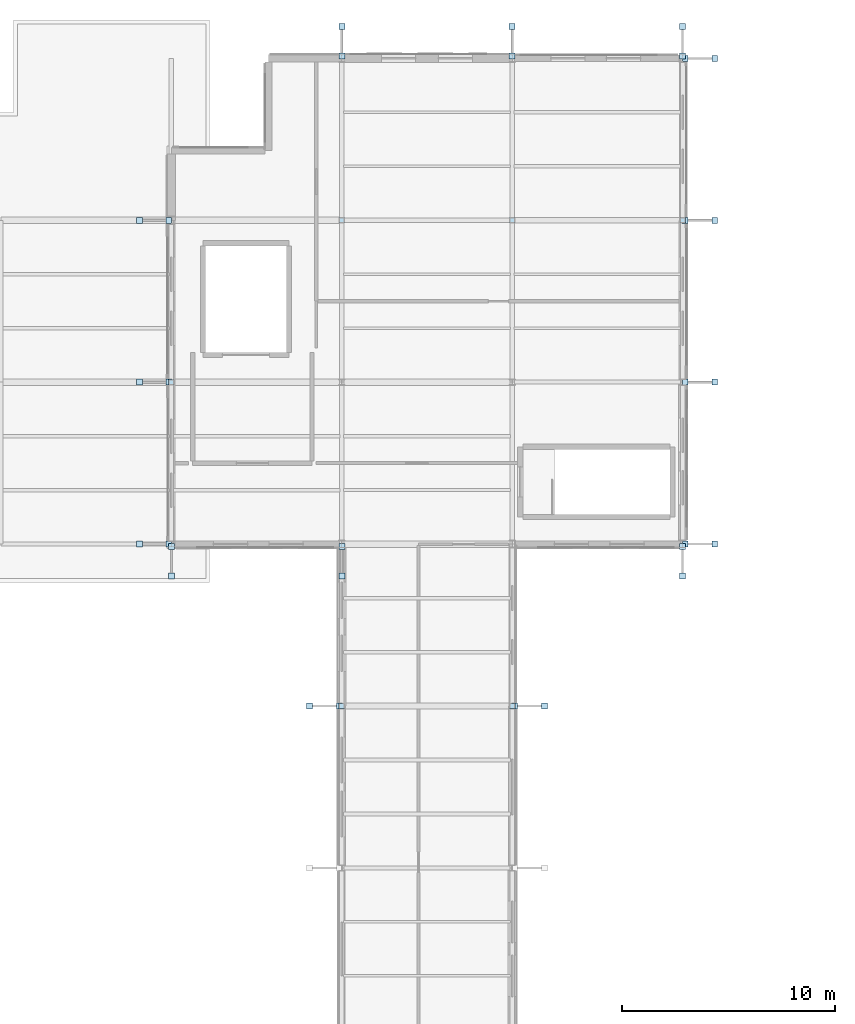
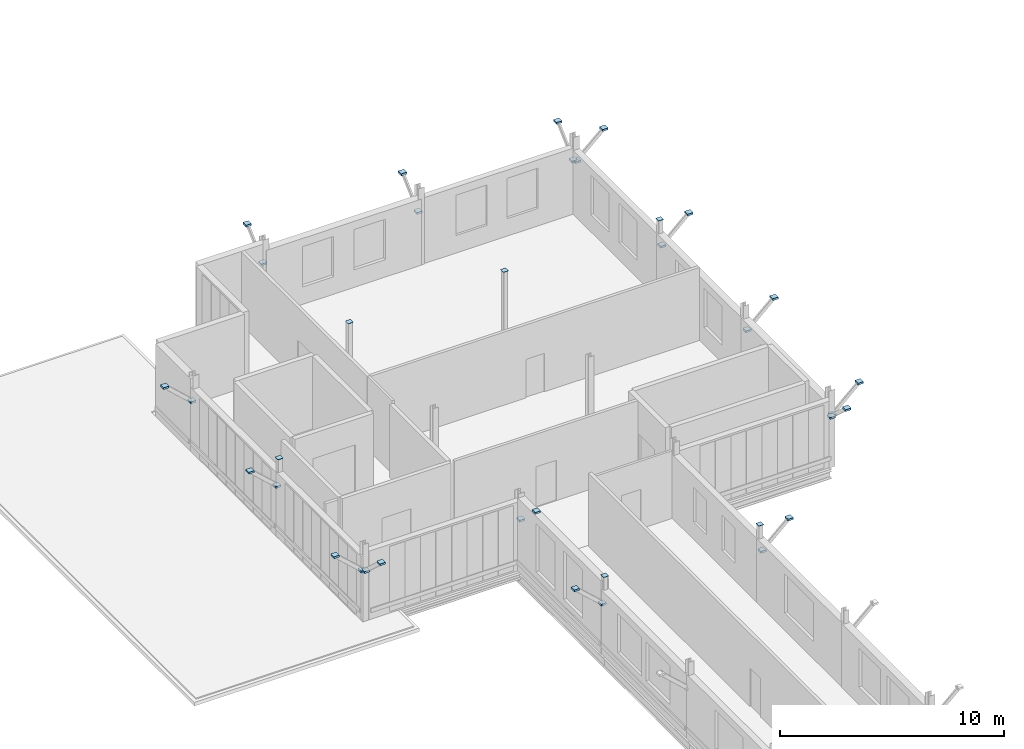
# One storey, part 76 of 101: 36 plates.
"""IFC4 building model written with IfcOpenShell, lengths in metres."""

from ifc_helpers import new_model, si_unit, direction, frame, origin, origin_2d, place, context, subcontext, project, spatial, rectangle, extrude, material, layer, layer_set, type_object, element, save


model = new_model("IFC4")

# Units and contexts
model_context = context("Model", 3, precision=1e-05, world=origin(), true_north=direction((0.0, 1.0)))
body_context = subcontext(model_context, "Body", "Model", "MODEL_VIEW")
ifc_project = project(units=[si_unit("LENGTHUNIT", "METRE"), si_unit("AREAUNIT", "SQUARE_METRE"), si_unit("VOLUMEUNIT", "CUBIC_METRE"), si_unit("PLANEANGLEUNIT", "RADIAN"), si_unit("MASSUNIT", "GRAM", prefix="KILO")], contexts=[model_context])

# Site, building, storey
site_placement = place(None, origin())
site = spatial("IfcSite", under=ifc_project, at=site_placement, CompositionType="ELEMENT")
building_placement = place(site_placement, origin())
building = spatial("IfcBuilding", under=site, at=building_placement, Name="Vekula Escarpment Museum", CompositionType="ELEMENT")
storey_placement = place(building_placement, frame((0.0, 0.0, 18.0)))
storey = spatial("IfcBuildingStorey", under=building, at=storey_placement, Name="L04", CompositionType="ELEMENT", Elevation=18.0)

# Plates
ifc_material_1 = material(Name="Steel S355", Category="steel")
ifc_layer_1 = layer(ifc_material_1, 0.01611328125)
ifc_layer_set_1 = layer_set([ifc_layer_1], Name="Steel S355")
plate_type_1 = type_object("IfcPlateType", Name="PL-CAP-16", PredefinedType="SHEET", material=ifc_layer_set_1)
for number, where, z_axis, x_axis, name in (
    (1, (31.88525390625, 113.199951171875, 2.694091796875), (0.0, 0.0, 1.0), (1.0, 0.0, 0.0), "Hollow section end cap CP-16"),
    (2, (30.49462890625, 113.199951171875, 3.9638671875), (0.0, 0.0, 1.0), (1.0, 0.0, 0.0), "Hollow section end cap CP-16"),
    (3, (32.0, 113.085205078125, 2.694091796875), (0.0, 0.0, 1.0), (1.0, 0.0, 0.0), "Hollow section end cap CP-16"),
    (4, (32.0, 111.694580078125, 3.9638671875), (0.0, 0.0, 1.0), (1.0, 0.0, 0.0), "Hollow section end cap CP-16"),
    (5, (31.88525390625, 120.800048828125, 2.694091796875), (0.0, 0.0, 1.0), (1.0, 0.0, 0.0), "Hollow section end cap CP-16"),
    (6, (30.49462890625, 120.800048828125, 3.9638671875), (0.0, 0.0, 1.0), (1.0, 0.0, 0.0), "Hollow section end cap CP-16"),
    (7, (31.88525390625, 128.39990234375, 2.694091796875), (0.0, 0.0, 1.0), (1.0, 0.0, 0.0), "Hollow section end cap CP-16"),
    (8, (30.49462890625, 128.39990234375, 3.9638671875), (0.0, 0.0, 1.0), (1.0, 0.0, 0.0), "Hollow section end cap CP-16"),
    (9, (39.88525390625, 105.60009765625, 2.694091796875), (0.0, 0.0, 1.0), (1.0, 0.0, 0.0), "Hollow section end cap CP-16"),
    (10, (38.49462890625, 105.60009765625, 3.9638671875), (0.0, 0.0, 1.0), (1.0, 0.0, 0.0), "Hollow section end cap CP-16"),
    (11, (40.0, 113.085205078125, 2.694091796875), (0.0, 0.0, 1.0), (1.0, 0.0, 0.0), "Hollow section end cap CP-16"),
    (12, (40.0, 111.694580078125, 3.9638671875), (0.0, 0.0, 1.0), (1.0, 0.0, 0.0), "Hollow section end cap CP-16"),
    (13, (40.0, 136.11474609375, 2.694091796875), (0.0, 0.0, 1.0), (1.0, 0.0, 0.0), "Hollow section end cap CP-16"),
    (14, (40.0, 137.50537109375, 3.9638671875), (0.0, 0.0, 1.0), (1.0, 0.0, 0.0), "Hollow section end cap CP-16"),
    (15, (48.11474609375, 105.60009765625, 2.694091796875), (0.0, 0.0, 1.0), (1.0, 0.0, 0.0), "Hollow section end cap CP-16"),
    (16, (49.50537109375, 105.60009765625, 3.9638671875), (0.0, 0.0, 1.0), (1.0, 0.0, 0.0), "Hollow section end cap CP-16"),
    (17, (48.0, 136.11474609375, 2.694091796875), (0.0, 0.0, 1.0), (1.0, 0.0, 0.0), "Hollow section end cap CP-16"),
    (18, (48.0, 137.50537109375, 3.9638671875), (0.0, 0.0, 1.0), (1.0, 0.0, 0.0), "Hollow section end cap CP-16"),
    (19, (56.11474609375, 113.199951171875, 2.694091796875), (0.0, 0.0, 1.0), (1.0, 0.0, 0.0), "Hollow section end cap CP-16"),
    (20, (57.50537109375, 113.199951171875, 3.9638671875), (0.0, 0.0, 1.0), (1.0, 0.0, 0.0), "Hollow section end cap CP-16"),
    (21, (56.0, 113.085205078125, 2.694091796875), (0.0, 0.0, 1.0), (1.0, 0.0, 0.0), "Hollow section end cap CP-16"),
    (22, (56.0, 111.694580078125, 3.9638671875), (0.0, 0.0, 1.0), (1.0, 0.0, 0.0), "Hollow section end cap CP-16"),
    (23, (56.11474609375, 120.800048828125, 2.694091796875), (0.0, 0.0, 1.0), (1.0, 0.0, 0.0), "Hollow section end cap CP-16"),
    (24, (57.50537109375, 120.800048828125, 3.9638671875), (0.0, 0.0, 1.0), (1.0, 0.0, 0.0), "Hollow section end cap CP-16"),
    (25, (56.11474609375, 128.39990234375, 2.694091796875), (0.0, 0.0, 1.0), (1.0, 0.0, 0.0), "Hollow section end cap CP-16"),
    (26, (57.50537109375, 128.39990234375, 3.9638671875), (0.0, 0.0, 1.0), (1.0, 0.0, 0.0), "Hollow section end cap CP-16"),
    (27, (56.11474609375, 136.0, 2.694091796875), (0.0, 0.0, 1.0), (1.0, 0.0, 0.0), "Hollow section end cap CP-16"),
    (28, (57.50537109375, 136.0, 3.9638671875), (0.0, 0.0, 1.0), (1.0, 0.0, 0.0), "Hollow section end cap CP-16"),
    (29, (56.0, 136.11474609375, 2.694091796875), (0.0, 0.0, 1.0), (1.0, 0.0, 0.0), "Hollow section end cap CP-16"),
    (30, (56.0, 137.50537109375, 3.9638671875), (0.0, 0.0, 1.0), (1.0, 0.0, 0.0), "Hollow section end cap CP-16"),
):
    element("IfcPlate", number, at=place(storey_placement, frame(where, z_axis=z_axis, x_axis=x_axis)), inside=storey, type_object=plate_type_1, Name=name, PredefinedType="SHEET", context=body_context, shape_type="SweptSolid", body=[
        extrude(rectangle(XDim=0.280029296875, YDim=0.280029296875, at=origin_2d()), origin(), (0.0, 0.0, 1.0), 0.10205078125),
    ])
ifc_material_2 = material(Name="Steel S355", Category="steel")
ifc_layer_2 = layer(ifc_material_2, 0.02001953125)
ifc_layer_set_2 = layer_set([ifc_layer_2], Name="Steel S355")
plate_type_2 = type_object("IfcPlateType", Name="PL-CAP-20", PredefinedType="SHEET", material=ifc_layer_set_2)
for number, where, z_axis, x_axis, name in (
    (31, (32.0, 120.800048828125, 4.197998046875), (0.0, 0.0, 1.0), (1.0, 0.0, 0.0), "Hollow section end cap CP-20"),
    (32, (40.0, 105.60009765625, 4.197998046875), (0.0, 0.0, 1.0), (1.0, 0.0, 0.0), "Hollow section end cap CP-20"),
    (33, (40.0, 128.39990234375, 4.197998046875), (0.0, 0.0, 1.0), (1.0, 0.0, 0.0), "Hollow section end cap CP-20"),
    (34, (48.0, 105.60009765625, 4.197998046875), (0.0, 0.0, 1.0), (1.0, 0.0, 0.0), "Hollow section end cap CP-20"),
    (35, (48.0, 128.39990234375, 4.197998046875), (0.0, 0.0, 1.0), (1.0, 0.0, 0.0), "Hollow section end cap CP-20"),
    (36, (56.0, 128.39990234375, 4.197998046875), (0.0, 0.0, 1.0), (1.0, 0.0, 0.0), "Hollow section end cap CP-20"),
):
    element("IfcPlate", number, at=place(storey_placement, frame(where, z_axis=z_axis, x_axis=x_axis)), inside=storey, type_object=plate_type_2, Name=name, PredefinedType="SHEET", context=body_context, shape_type="SweptSolid", body=[
        extrude(rectangle(XDim=0.260009765625, YDim=0.260009765625, at=origin_2d()), origin(), (0.0, 0.0, 1.0), 0.02001953125),
    ])

save(model, "model.ifc")
